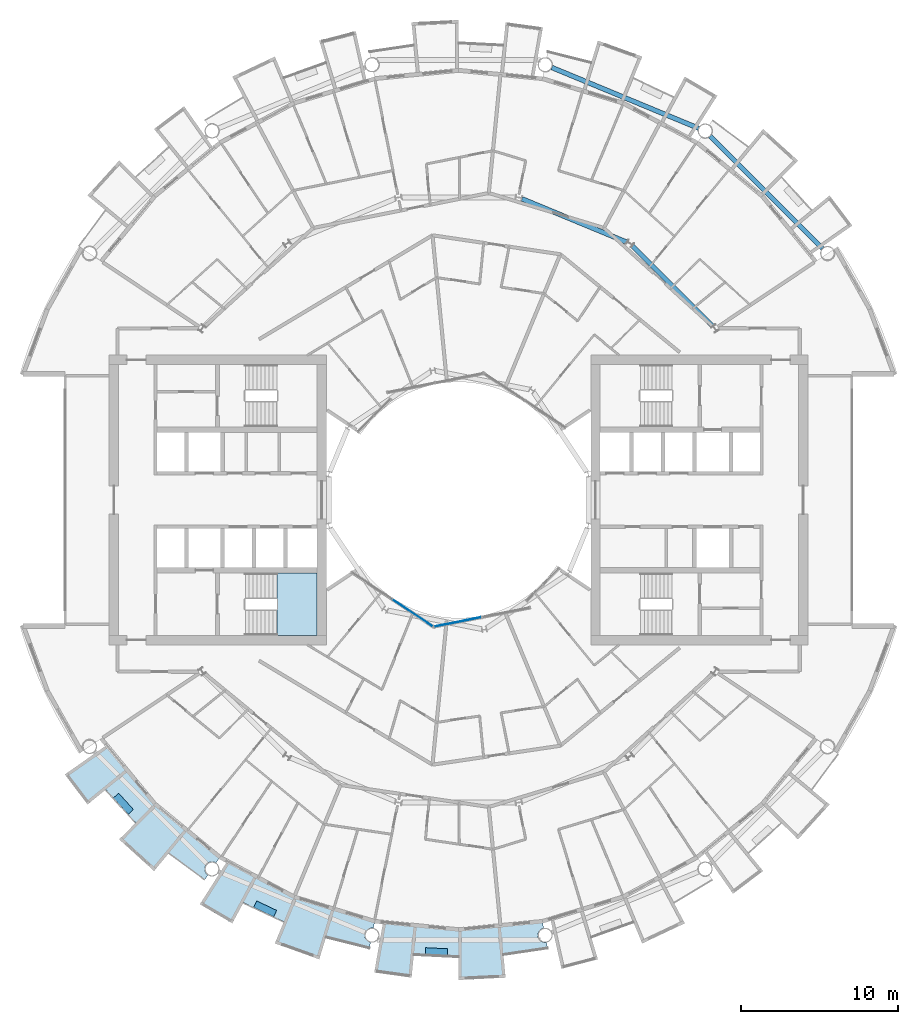
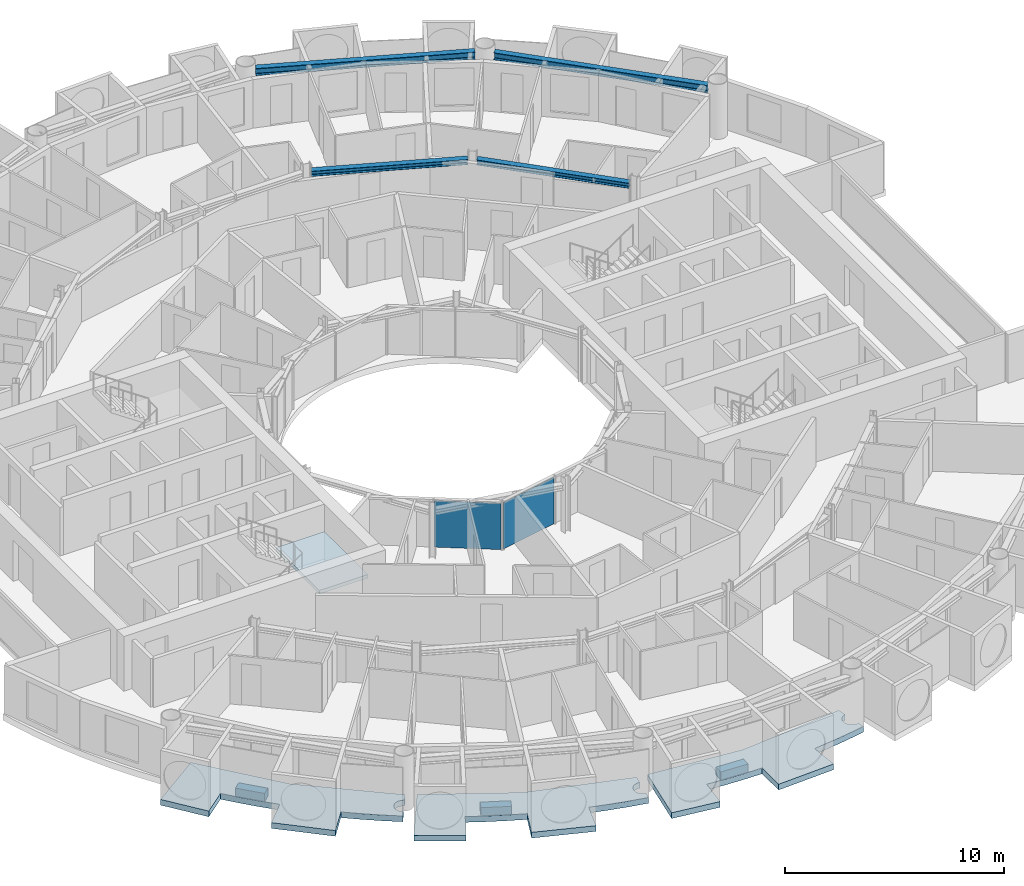
# One storey, part 10 of 28: 7 slabs, 4 beams, 2 plates, 3 elements without a shape of their own.
"""IFC4 building model written with IfcOpenShell, lengths in metres."""

from ifc_helpers import new_model, si_unit, direction, frame, origin, origin_2d, place, context, subcontext, project, spatial, polyline, rectangle, i_section, outline, extrude, material, layer, layer_set, material_profile, profile_set, type_object, element, aggregate, save


model = new_model("IFC4")

# Units and contexts
model_context = context("Model", 3, precision=1e-05, world=origin(), true_north=direction((0.0, 1.0)))
body_context = subcontext(model_context, "Body", "Model", "MODEL_VIEW")
ifc_project = project(units=[si_unit("LENGTHUNIT", "METRE"), si_unit("AREAUNIT", "SQUARE_METRE"), si_unit("VOLUMEUNIT", "CUBIC_METRE"), si_unit("PLANEANGLEUNIT", "RADIAN"), si_unit("MASSUNIT", "GRAM", prefix="KILO")], contexts=[model_context])

# Site, building, storey
site_placement = place(None, origin())
site = spatial("IfcSite", under=ifc_project, at=site_placement, CompositionType="ELEMENT")
building_placement = place(site_placement, origin())
building = spatial("IfcBuilding", under=site, at=building_placement, Name="Maasbend Ring Residences", CompositionType="ELEMENT")
storey_placement = place(building_placement, frame((0.0, 0.0, 133.0)))
storey = spatial("IfcBuildingStorey", under=building, at=storey_placement, Name="L38", CompositionType="ELEMENT", Elevation=133.0)

# Beams
ifc_material_1 = material(Name="Steel S355J2", Category="steel")
ifc_material_profile_1 = material_profile(ifc_material_1, i_section(OverallWidth=0.300048828125, OverallDepth=0.2900390625, WebThickness=0.008544921875, FlangeThickness=0.013916015625, FilletRadius=0.027099609375, at=origin_2d()), Name="HEA 300")
ifc_profile_set_1 = profile_set([ifc_material_profile_1], Name="Steel S355J2")
beam_type_1 = type_object("IfcBeamType", Name="Corridor ring beam HEA 300", PredefinedType="BEAM", material=ifc_profile_set_1)
for number, where, z_axis, x_axis, name in (
    (1, (16.14111328125, 11.044921875, 2.554931640625), (-0.707106781187, 0.707106781187, 0.0), (-0.707106781187, -0.707106781187, 0.0), "Corridor ring beam"),
    (2, (10.685791015625, 16.381103515625, 2.554931640625), (-0.923877693919, 0.382687871089, 0.0), (-0.382687871089, -0.923877693919, 0.0), "Corridor ring beam"),
):
    element("IfcBeam", number, at=place(storey_placement, frame(where, z_axis=z_axis, x_axis=x_axis)), inside=storey, type_object=beam_type_1, Name=name, PredefinedType="BEAM", context=body_context, shape_type="SweptSolid", body=[
        extrude(i_section(OverallWidth=0.300048828125, OverallDepth=0.2900390625, WebThickness=0.008544921875, FlangeThickness=0.013916015625, FilletRadius=0.027099609375, at=origin_2d()), origin(), (0.0, 0.0, 1.0), 7.20703125),
    ])
ifc_material_2 = material(Name="Steel S355J2", Category="steel")
ifc_material_profile_2 = material_profile(ifc_material_2, i_section(OverallWidth=0.300048828125, OverallDepth=0.39990234375, WebThickness=0.013427734375, FlangeThickness=0.02392578125, FilletRadius=0.027099609375, at=origin_2d()), Name="HEB 400")
ifc_profile_set_2 = profile_set([ifc_material_profile_2], Name="Steel S355J2")
beam_type_2 = type_object("IfcBeamType", Name="Spandrel ring beam HEB 400", PredefinedType="SPANDREL", material=ifc_profile_set_2)
for number, where, z_axis, x_axis, name in (
    (3, (23.124267578125, 15.990234375, 2.5), (-0.707106781187, 0.707106781187, 0.0), (-0.707106781187, -0.707106781187, 0.0), "Spandrel ring beam"),
    (4, (15.244873046875, 23.622314453125, 2.5), (-0.92388529709, 0.382669515144, 0.0), (-0.382669515144, -0.92388529709, 0.0), "Spandrel ring beam"),
):
    element("IfcBeam", number, at=place(storey_placement, frame(where, z_axis=z_axis, x_axis=x_axis)), inside=storey, type_object=beam_type_2, Name=name, PredefinedType="SPANDREL", context=body_context, shape_type="SweptSolid", body=[
        extrude(i_section(OverallWidth=0.300048828125, OverallDepth=0.39990234375, WebThickness=0.013427734375, FlangeThickness=0.02392578125, FilletRadius=0.027099609375, at=origin_2d()), origin(), (0.0, 0.0, 1.0), 10.089111328125),
    ])

# Stair, slab
ifc_material_3 = material(Name="Concrete C40/50", Category="concrete")
stair_type = type_object("IfcStairType", Name="CORE STAIR 18 RISERS", PredefinedType="HALF_TURN_STAIR", material=ifc_material_3)
stair_placement = place(storey_placement, origin())
stair = element("IfcStair", 5, at=stair_placement, inside=storey, type_object=stair_type, Name="L38 Exit stair ST-W1", PredefinedType="HALF_TURN_STAIR")
ifc_material_4 = material(Name="Concrete C40/50", Category="concrete")
ifc_layer_1 = layer(ifc_material_4, 0.199951171875)
ifc_layer_set_1 = layer_set([ifc_layer_1], Name="Concrete C40/50")
slab_type_1 = type_object("IfcSlabType", Name="CORE STAIR LANDING 200", PredefinedType="LANDING", material=ifc_layer_set_1)
slab_1_placement = place(storey_placement, frame((0.0, 0.0, 1.324951171875)))
slab_1 = element("IfcSlab", 6, at=slab_1_placement, type_object=slab_type_1, Name="ST-W1 landing 1", PredefinedType="LANDING", context=body_context, shape_type="SweptSolid", body=[
    extrude(outline(polyline([(-11.550048828125, -8.60009765625), (-9.0, -8.60009765625), (-9.0, -4.64990234375), (-11.550048828125, -4.64990234375), (-11.550048828125, -8.60009765625)])), origin(), (0.0, 0.0, 1.0), 0.199951171875),
])
aggregate(stair, [slab_1])

# Curtain wall, plate
ifc_material_5 = material(Name="Aluminium and clear glass", Category="aluminium")
ifc_layer_2 = layer(ifc_material_5, 0.179931640625)
ifc_layer_set_2 = layer_set([ifc_layer_2], Name="CW-W")
curtain_wall_type = type_object("IfcCurtainWallType", Name="CW-W", PredefinedType="NOTDEFINED", material=ifc_layer_set_2)
curtain_wall_1_placement = place(storey_placement, origin())
curtain_wall_1 = element("IfcCurtainWall", 7, at=curtain_wall_1_placement, inside=storey, type_object=curtain_wall_type, Name="Well curtain wall S1", PredefinedType="NOTDEFINED")
ifc_material_6 = material(Name="Glass clear laminated", Category="glass")
ifc_layer_3 = layer(ifc_material_6, 0.031982421875)
ifc_layer_set_3 = layer_set([ifc_layer_3], Name="CWP-W")
plate_type = type_object("IfcPlateType", Name="CWP-W", PredefinedType="CURTAIN_PANEL", material=ifc_layer_set_3)
plate_1_placement = place(storey_placement, frame((-2.922119140625, -7.17578125, 0.0), z_axis=(0.0, 0.0, 1.0), x_axis=(0.831469612303, -0.55557023302, 0.0)))
plate_1 = element("IfcPlate", 8, at=plate_1_placement, type_object=plate_type, Name="Glass panel well face", PredefinedType="CURTAIN_PANEL", context=body_context, shape_type="SweptSolid", body=[
    extrude(rectangle(XDim=3.053955078125, YDim=0.031982421875, at=origin_2d()), origin(), (0.0, 0.0, 1.0), 2.580078125),
])
aggregate(curtain_wall_1, [plate_1])

curtain_wall_2_placement = place(storey_placement, origin())
curtain_wall_2 = element("IfcCurtainWall", 9, at=curtain_wall_2_placement, inside=storey, type_object=curtain_wall_type, Name="Well curtain wall S2", PredefinedType="NOTDEFINED")
plate_2_placement = place(storey_placement, frame((-0.04638671875, -7.747802734375, 0.0), z_axis=(0.0, 0.0, 1.0), x_axis=(0.980785280403, 0.195090322016, 0.0)))
plate_2 = element("IfcPlate", 10, at=plate_2_placement, type_object=plate_type, Name="Glass panel well face", PredefinedType="CURTAIN_PANEL", context=body_context, shape_type="SweptSolid", body=[
    extrude(rectangle(XDim=3.053955078125, YDim=0.031982421875, at=origin_2d()), origin(), (0.0, 0.0, 1.0), 2.580078125),
])
aggregate(curtain_wall_2, [plate_2])

# Slabs
ifc_material_7 = material(Name="Planting with climbing greenery")
ifc_layer_4 = layer(ifc_material_7, 0.449951171875)
ifc_layer_set_4 = layer_set([ifc_layer_4], Name="PLANTER-LG")
slab_type_2 = type_object("IfcSlabType", Name="PLANTER-LG", PredefinedType="USERDEFINED", material=ifc_layer_set_4)
slab_2_placement = place(storey_placement, frame((0.0, 0.0, -0.030029296875)))
element("IfcSlab", 11, at=slab_2_placement, inside=storey, type_object=slab_type_2, Name="Planter with climbing greenery 1", ObjectType="PLANTER", PredefinedType="USERDEFINED", context=body_context, shape_type="SweptSolid", body=[
    extrude(outline(polyline([(-21.931884765625, -18.93310546875), (-20.991943359375, -19.969970703125), (-20.657958984375, -19.66796875), (-21.597900390625, -18.631103515625), (-21.931884765625, -18.93310546875)])), origin(), (0.0, 0.0, 1.0), 0.449951171875),
])
slab_3_placement = place(storey_placement, frame((0.0, 0.0, -0.030029296875)))
element("IfcSlab", 12, at=slab_3_placement, inside=storey, type_object=slab_type_2, Name="Planter with climbing greenery 2", ObjectType="PLANTER", PredefinedType="USERDEFINED", context=body_context, shape_type="SweptSolid", body=[
    extrude(outline(polyline([(-13.01708984375, -25.885009765625), (-11.7509765625, -26.48291015625), (-11.55908203125, -26.076904296875), (-12.824951171875, -25.47802734375), (-13.01708984375, -25.885009765625)])), origin(), (0.0, 0.0, 1.0), 0.449951171875),
])
slab_4_placement = place(storey_placement, frame((0.0, 0.0, -0.030029296875)))
element("IfcSlab", 13, at=slab_4_placement, inside=storey, type_object=slab_type_2, Name="Planter with climbing greenery 3", ObjectType="PLANTER", PredefinedType="USERDEFINED", context=body_context, shape_type="SweptSolid", body=[
    extrude(outline(polyline([(-2.1201171875, -28.89599609375), (-0.721923828125, -28.965087890625), (-0.699951171875, -28.514892578125), (-2.097900390625, -28.446044921875), (-2.1201171875, -28.89599609375)])), origin(), (0.0, 0.0, 1.0), 0.449951171875),
])
ifc_material_8 = material(Name="Concrete C40/50", Category="concrete")
ifc_layer_5 = layer(ifc_material_8, 0.199951171875)
ifc_layer_set_5 = layer_set([ifc_layer_5], Name="Concrete C40/50")
slab_type_3 = type_object("IfcSlabType", Name="SL-LOGGIA", PredefinedType="FLOOR", material=ifc_layer_set_5)
slab_5_placement = place(storey_placement, frame((0.0, 0.0, -0.35009765625)))
element("IfcSlab", 14, at=slab_5_placement, inside=storey, type_object=slab_type_3, Name="Loggia floor 2", PredefinedType="FLOOR", context=body_context, shape_type="SweptSolid", body=[
    extrude(outline(polyline([(-12.806884765625, -23.9609375), (-10.447021484375, -25.221923828125), (-10.447021484375, -25.221923828125), (-10.447021484375, -25.221923828125), (-7.886962890625, -25.9990234375), (-5.325927734375, -26.77490234375), (-5.325927734375, -26.77490234375), (-5.325927734375, -26.77490234375), (-5.412109375, -27.2099609375), (-5.423095703125, -27.2080078125), (-5.43408203125, -27.2060546875), (-5.446044921875, -27.205078125), (-5.45703125, -27.202880859375), (-5.468017578125, -27.201904296875), (-5.47900390625, -27.201904296875), (-5.489990234375, -27.200927734375), (-5.501953125, -27.200927734375), (-5.512939453125, -27.200927734375), (-5.52392578125, -27.201904296875), (-5.534912109375, -27.201904296875), (-5.5458984375, -27.202880859375), (-5.556884765625, -27.205078125), (-5.569091796875, -27.2060546875), (-5.580078125, -27.2080078125), (-5.591064453125, -27.2099609375), (-5.60205078125, -27.2119140625), (-5.613037109375, -27.215087890625), (-5.623046875, -27.218017578125), (-5.634033203125, -27.220947265625), (-5.64501953125, -27.22412109375), (-5.655029296875, -27.22802734375), (-5.666015625, -27.23193359375), (-5.676025390625, -27.236083984375), (-5.68701171875, -27.239990234375), (-5.697021484375, -27.2451171875), (-5.70703125, -27.25), (-5.717041015625, -27.2548828125), (-5.72705078125, -27.260009765625), (-5.736083984375, -27.26611328125), (-5.74609375, -27.27197265625), (-5.7548828125, -27.278076171875), (-5.764892578125, -27.283935546875), (-5.77392578125, -27.291015625), (-5.782958984375, -27.298095703125), (-5.791015625, -27.304931640625), (-5.800048828125, -27.31201171875), (-5.80810546875, -27.319091796875), (-5.81689453125, -27.326904296875), (-5.824951171875, -27.3349609375), (-5.83203125, -27.343017578125), (-5.840087890625, -27.35107421875), (-5.847900390625, -27.360107421875), (-5.85498046875, -27.367919921875), (-5.862060546875, -27.376953125), (-5.868896484375, -27.385986328125), (-5.875, -27.39501953125), (-5.881103515625, -27.404052734375), (-5.887939453125, -27.4140625), (-5.89306640625, -27.423095703125), (-5.89892578125, -27.43310546875), (-5.905029296875, -27.443115234375), (-5.909912109375, -27.452880859375), (-5.9150390625, -27.462890625), (-5.9189453125, -27.472900390625), (-5.924072265625, -27.48291015625), (-5.927978515625, -27.493896484375), (-5.931884765625, -27.50390625), (-5.93505859375, -27.514892578125), (-5.93896484375, -27.52490234375), (-5.94189453125, -27.535888671875), (-5.945068359375, -27.547119140625), (-5.947021484375, -27.55810546875), (-5.949951171875, -27.569091796875), (-5.951904296875, -27.580078125), (-5.9541015625, -27.591064453125), (-5.955078125, -27.60205078125), (-5.9560546875, -27.613037109375), (-5.95703125, -27.6240234375), (-5.9580078125, -27.635986328125), (-5.9580078125, -27.64697265625), (-5.9580078125, -27.657958984375), (-5.9580078125, -27.6689453125), (-5.9580078125, -27.680908203125), (-5.95703125, -27.69189453125), (-5.9560546875, -27.702880859375), (-5.955078125, -27.714111328125), (-5.9541015625, -27.72509765625), (-5.951904296875, -27.736083984375), (-5.949951171875, -27.7470703125), (-5.947021484375, -27.758056640625), (-5.945068359375, -27.76904296875), (-5.94189453125, -27.780029296875), (-5.93896484375, -27.791015625), (-5.93505859375, -27.801025390625), (-5.931884765625, -27.81201171875), (-5.927978515625, -27.822998046875), (-5.924072265625, -27.8330078125), (-5.9189453125, -27.843017578125), (-5.9150390625, -27.85302734375), (-5.909912109375, -27.864013671875), (-5.905029296875, -27.8740234375), (-5.89892578125, -27.883056640625), (-5.89306640625, -27.89306640625), (-5.887939453125, -27.903076171875), (-5.881103515625, -27.912109375), (-5.875, -27.9208984375), (-5.868896484375, -27.929931640625), (-5.862060546875, -27.93896484375), (-5.85498046875, -27.947998046875), (-5.847900390625, -27.95703125), (-5.840087890625, -27.965087890625), (-5.83203125, -27.972900390625), (-5.824951171875, -27.98095703125), (-5.81689453125, -27.989013671875), (-5.80810546875, -27.9970703125), (-5.800048828125, -28.00390625), (-5.791015625, -28.010986328125), (-5.782958984375, -28.01806640625), (-5.77392578125, -28.02490234375), (-5.764892578125, -28.031982421875), (-5.7548828125, -28.0380859375), (-5.74609375, -28.0439453125), (-5.736083984375, -28.050048828125), (-5.72705078125, -28.055908203125), (-5.717041015625, -28.06103515625), (-5.70703125, -28.06591796875), (-5.697021484375, -28.071044921875), (-5.68701171875, -28.075927734375), (-5.676025390625, -28.080078125), (-5.666015625, -28.083984375), (-5.655029296875, -28.087890625), (-5.64501953125, -28.092041015625), (-5.634033203125, -28.094970703125), (-5.623046875, -28.09912109375), (-5.613037109375, -28.10107421875), (-5.60205078125, -28.10400390625), (-5.591064453125, -28.10595703125), (-5.657958984375, -28.443115234375), (-5.657958984375, -28.443115234375), (-5.657958984375, -28.443115234375), (-6.5849609375, -28.241943359375), (-6.5849609375, -28.241943359375), (-7.506103515625, -28.011962890625), (-7.506103515625, -28.011962890625), (-8.41796875, -27.7509765625), (-8.41796875, -27.7509765625), (-8.41796875, -27.7509765625), (-8.41796875, -27.7509765625), (-8.41796875, -27.7509765625), (-8.41796875, -27.7509765625), (-8.41796875, -27.7509765625), (-8.41796875, -27.7509765625), (-8.41796875, -27.7509765625), (-8.41796875, -27.7509765625), (-8.41796875, -27.751953125), (-8.41796875, -27.751953125), (-8.41796875, -27.751953125), (-8.41796875, -27.751953125), (-8.41796875, -27.751953125), (-8.41796875, -27.751953125), (-8.41796875, -27.751953125), (-8.85400390625, -29.18701171875), (-8.85400390625, -29.18701171875), (-8.85400390625, -29.18701171875), (-11.672119140625, -28.177978515625), (-11.672119140625, -28.177978515625), (-11.672119140625, -28.177978515625), (-11.097900390625, -26.79296875), (-11.097900390625, -26.79296875), (-11.097900390625, -26.79296875), (-11.097900390625, -26.79296875), (-11.097900390625, -26.79296875), (-11.097900390625, -26.79296875), (-11.097900390625, -26.79296875), (-11.097900390625, -26.79296875), (-11.097900390625, -26.79296875), (-11.097900390625, -26.79296875), (-11.097900390625, -26.7919921875), (-11.097900390625, -26.7919921875), (-11.097900390625, -26.7919921875), (-11.097900390625, -26.7919921875), (-11.097900390625, -26.7919921875), (-11.097900390625, -26.7919921875), (-11.097900390625, -26.7919921875), (-11.968994140625, -26.4150390625), (-11.968994140625, -26.4150390625), (-12.825927734375, -26.009033203125), (-12.825927734375, -26.009033203125), (-13.669921875, -25.575927734375), (-13.669921875, -25.575927734375), (-13.669921875, -25.575927734375), (-13.669921875, -25.575927734375), (-13.669921875, -25.575927734375), (-13.669921875, -25.575927734375), (-13.669921875, -25.575927734375), (-13.669921875, -25.575927734375), (-13.669921875, -25.575927734375), (-13.669921875, -25.575927734375), (-13.6708984375, -25.575927734375), (-13.6708984375, -25.575927734375), (-13.6708984375, -25.575927734375), (-13.6708984375, -25.575927734375), (-13.6708984375, -25.575927734375), (-13.6708984375, -25.575927734375), (-13.6708984375, -25.575927734375), (-14.3779296875, -26.89892578125), (-14.3779296875, -26.89892578125), (-14.3779296875, -26.89892578125), (-16.44091796875, -25.68994140625), (-16.44091796875, -25.68994140625), (-16.44091796875, -25.68994140625), (-14.68994140625, -22.9541015625), (-14.68994140625, -22.9541015625), (-14.68994140625, -22.9541015625), (-12.806884765625, -23.9609375)])), origin(), (0.0, 0.0, 1.0), 0.320068359375),
])
slab_6_placement = place(storey_placement, frame((0.0, 0.0, -0.35009765625)))
element("IfcSlab", 15, at=slab_6_placement, inside=storey, type_object=slab_type_3, Name="Loggia floor 3", PredefinedType="FLOOR", context=body_context, shape_type="SweptSolid", body=[
    extrude(outline(polyline([(-2.6630859375, -27.0380859375), (0.0, -27.300048828125), (0.0, -27.300048828125), (0.0, -27.300048828125), (2.6630859375, -27.0380859375), (5.325927734375, -26.77490234375), (5.325927734375, -26.77490234375), (5.325927734375, -26.77490234375), (5.412109375, -27.2099609375), (5.412109375, -27.2099609375), (5.40087890625, -27.2119140625), (5.389892578125, -27.215087890625), (5.3798828125, -27.218017578125), (5.368896484375, -27.220947265625), (5.35791015625, -27.22412109375), (5.347900390625, -27.22802734375), (5.3369140625, -27.23193359375), (5.326904296875, -27.236083984375), (5.31591796875, -27.239990234375), (5.305908203125, -27.2451171875), (5.2958984375, -27.25), (5.285888671875, -27.2548828125), (5.27587890625, -27.260009765625), (5.26708984375, -27.26611328125), (5.257080078125, -27.27197265625), (5.248046875, -27.278076171875), (5.238037109375, -27.283935546875), (5.22900390625, -27.291015625), (5.219970703125, -27.298095703125), (5.2119140625, -27.304931640625), (5.202880859375, -27.31201171875), (5.195068359375, -27.319091796875), (5.18603515625, -27.326904296875), (5.177978515625, -27.3349609375), (5.1708984375, -27.343017578125), (5.1630859375, -27.35107421875), (5.155029296875, -27.360107421875), (5.14794921875, -27.367919921875), (5.14111328125, -27.376953125), (5.134033203125, -27.385986328125), (5.1279296875, -27.39501953125), (5.1220703125, -27.404052734375), (5.114990234375, -27.4140625), (5.110107421875, -27.423095703125), (5.10400390625, -27.43310546875), (5.097900390625, -27.443115234375), (5.093017578125, -27.452880859375), (5.087890625, -27.462890625), (5.083984375, -27.472900390625), (5.0791015625, -27.48291015625), (5.074951171875, -27.493896484375), (5.071044921875, -27.50390625), (5.068115234375, -27.514892578125), (5.06396484375, -27.52490234375), (5.06103515625, -27.535888671875), (5.05810546875, -27.547119140625), (5.055908203125, -27.55810546875), (5.052978515625, -27.569091796875), (5.051025390625, -27.580078125), (5.049072265625, -27.591064453125), (5.048095703125, -27.60205078125), (5.047119140625, -27.613037109375), (5.0458984375, -27.6240234375), (5.044921875, -27.635986328125), (5.044921875, -27.64697265625), (5.044921875, -27.657958984375), (5.044921875, -27.6689453125), (5.044921875, -27.680908203125), (5.0458984375, -27.69189453125), (5.047119140625, -27.702880859375), (5.048095703125, -27.714111328125), (5.049072265625, -27.72509765625), (5.051025390625, -27.736083984375), (5.052978515625, -27.7470703125), (5.055908203125, -27.758056640625), (5.05810546875, -27.76904296875), (5.06103515625, -27.780029296875), (5.06396484375, -27.791015625), (5.068115234375, -27.801025390625), (5.071044921875, -27.81201171875), (5.074951171875, -27.822998046875), (5.0791015625, -27.8330078125), (5.083984375, -27.843017578125), (5.087890625, -27.85302734375), (5.093017578125, -27.864013671875), (5.097900390625, -27.8740234375), (5.10400390625, -27.883056640625), (5.110107421875, -27.89306640625), (5.114990234375, -27.903076171875), (5.1220703125, -27.912109375), (5.1279296875, -27.9208984375), (5.134033203125, -27.929931640625), (5.14111328125, -27.93896484375), (5.14794921875, -27.947998046875), (5.155029296875, -27.95703125), (5.1630859375, -27.965087890625), (5.1708984375, -27.972900390625), (5.177978515625, -27.98095703125), (5.18603515625, -27.989013671875), (5.195068359375, -27.9970703125), (5.202880859375, -28.00390625), (5.2119140625, -28.010986328125), (5.219970703125, -28.01806640625), (5.22900390625, -28.02490234375), (5.238037109375, -28.031982421875), (5.248046875, -28.0380859375), (5.257080078125, -28.0439453125), (5.26708984375, -28.050048828125), (5.27587890625, -28.055908203125), (5.285888671875, -28.06103515625), (5.2958984375, -28.06591796875), (5.305908203125, -28.071044921875), (5.31591796875, -28.075927734375), (5.326904296875, -28.080078125), (5.3369140625, -28.083984375), (5.347900390625, -28.087890625), (5.35791015625, -28.092041015625), (5.368896484375, -28.094970703125), (5.3798828125, -28.09912109375), (5.389892578125, -28.10107421875), (5.40087890625, -28.10400390625), (5.412109375, -28.10595703125), (5.423095703125, -28.10791015625), (5.43408203125, -28.110107421875), (5.446044921875, -28.112060546875), (5.45703125, -28.113037109375), (5.468017578125, -28.114013671875), (5.47900390625, -28.114990234375), (5.489990234375, -28.114990234375), (5.501953125, -28.114990234375), (5.512939453125, -28.114990234375), (5.52392578125, -28.114990234375), (5.534912109375, -28.114013671875), (5.5458984375, -28.113037109375), (5.556884765625, -28.112060546875), (5.569091796875, -28.110107421875), (5.580078125, -28.10791015625), (5.591064453125, -28.10595703125), (5.591064453125, -28.10595703125), (5.657958984375, -28.443115234375), (5.657958984375, -28.443115234375), (5.657958984375, -28.443115234375), (4.72412109375, -28.613037109375), (4.72412109375, -28.613037109375), (3.784912109375, -28.751953125), (3.784912109375, -28.751953125), (2.843017578125, -28.860107421875), (2.843017578125, -28.860107421875), (2.843017578125, -28.860107421875), (2.843017578125, -28.860107421875), (2.843017578125, -28.860107421875), (2.843017578125, -28.860107421875), (2.843017578125, -28.860107421875), (2.843017578125, -28.860107421875), (2.843017578125, -28.860107421875), (2.843017578125, -28.861083984375), (2.843017578125, -28.861083984375), (2.843017578125, -28.861083984375), (2.843017578125, -28.861083984375), (2.843017578125, -28.861083984375), (2.843017578125, -28.861083984375), (2.843017578125, -28.861083984375), (2.843017578125, -28.861083984375), (2.989990234375, -30.35302734375), (2.989990234375, -30.35302734375), (2.989990234375, -30.35302734375), (0.0, -30.5), (0.0, -30.5), (0.0, -30.5), (0.0, -29.0), (0.0, -29.0), (0.0, -29.0), (0.0, -29.0), (0.0, -29.0), (0.0, -29.0), (0.0, -29.0), (0.0, -29.0), (0.0, -29.0), (0.0, -29.0), (0.0, -29.0), (0.0, -29.0), (0.0, -29.0), (0.0, -29.0), (0.0, -29.0), (0.0, -29.0), (0.0, -29.0), (-0.948974609375, -28.98388671875), (-0.948974609375, -28.98388671875), (-1.89697265625, -28.93798828125), (-1.89697265625, -28.93798828125), (-2.842041015625, -28.860107421875), (-2.842041015625, -28.860107421875), (-2.842041015625, -28.860107421875), (-2.842041015625, -28.860107421875), (-2.842041015625, -28.860107421875), (-2.842041015625, -28.860107421875), (-2.842041015625, -28.860107421875), (-2.842041015625, -28.860107421875), (-2.842041015625, -28.861083984375), (-2.842041015625, -28.861083984375), (-2.842041015625, -28.861083984375), (-2.842041015625, -28.861083984375), (-2.842041015625, -28.861083984375), (-2.843017578125, -28.861083984375), (-2.843017578125, -28.861083984375), (-2.843017578125, -28.861083984375), (-2.843017578125, -28.861083984375), (-2.989990234375, -30.35302734375), (-2.989990234375, -30.35302734375), (-2.989990234375, -30.35302734375), (-5.35791015625, -30.02587890625), (-5.35791015625, -30.02587890625), (-5.35791015625, -30.02587890625), (-4.7880859375, -26.827880859375), (-4.7880859375, -26.827880859375), (-4.7880859375, -26.827880859375), (-2.6630859375, -27.0380859375)])), origin(), (0.0, 0.0, 1.0), 0.320068359375),
])
slab_7_placement = place(storey_placement, frame((0.0, 0.0, -0.35009765625)))
element("IfcSlab", 16, at=slab_7_placement, inside=storey, type_object=slab_type_3, Name="Loggia floor 5", PredefinedType="FLOOR", context=body_context, shape_type="SweptSolid", body=[
    extrude(outline(polyline([(-21.001953125, -17.236083984375), (-19.303955078125, -19.303955078125), (-19.303955078125, -19.303955078125), (-19.303955078125, -19.303955078125), (-17.236083984375, -21.001953125), (-15.1669921875, -22.698974609375), (-15.1669921875, -22.698974609375), (-15.1669921875, -22.698974609375), (-15.4130859375, -23.06689453125), (-15.4130859375, -23.06689453125), (-15.423095703125, -23.06103515625), (-15.431884765625, -23.054931640625), (-15.44189453125, -23.050048828125), (-15.451904296875, -23.0439453125), (-15.4619140625, -23.0390625), (-15.471923828125, -23.033935546875), (-15.48193359375, -23.030029296875), (-15.491943359375, -23.02490234375), (-15.5029296875, -23.02099609375), (-15.512939453125, -23.01708984375), (-15.52392578125, -23.012939453125), (-15.533935546875, -23.010009765625), (-15.544921875, -23.007080078125), (-15.555908203125, -23.00390625), (-15.56689453125, -23.001953125), (-15.577880859375, -22.9990234375), (-15.589111328125, -22.9970703125), (-15.60009765625, -22.9951171875), (-15.611083984375, -22.993896484375), (-15.6220703125, -22.992919921875), (-15.633056640625, -22.991943359375), (-15.64501953125, -22.990966796875), (-15.656005859375, -22.990966796875), (-15.6669921875, -22.989990234375), (-15.677978515625, -22.990966796875), (-15.68994140625, -22.990966796875), (-15.700927734375, -22.991943359375), (-15.7119140625, -22.992919921875), (-15.722900390625, -22.993896484375), (-15.73388671875, -22.9951171875), (-15.7451171875, -22.9970703125), (-15.756103515625, -22.9990234375), (-15.76708984375, -23.001953125), (-15.778076171875, -23.00390625), (-15.7890625, -23.007080078125), (-15.800048828125, -23.010009765625), (-15.81005859375, -23.012939453125), (-15.821044921875, -23.01708984375), (-15.83203125, -23.02099609375), (-15.842041015625, -23.02490234375), (-15.85205078125, -23.030029296875), (-15.862060546875, -23.033935546875), (-15.873046875, -23.0390625), (-15.883056640625, -23.0439453125), (-15.89208984375, -23.050048828125), (-15.902099609375, -23.054931640625), (-15.912109375, -23.06103515625), (-15.9208984375, -23.06689453125), (-15.929931640625, -23.073974609375), (-15.93896484375, -23.080078125), (-15.947998046875, -23.0869140625), (-15.95703125, -23.093994140625), (-15.966064453125, -23.10107421875), (-15.97412109375, -23.10888671875), (-15.98193359375, -23.115966796875), (-15.989990234375, -23.1240234375), (-15.998046875, -23.132080078125), (-16.006103515625, -23.139892578125), (-16.012939453125, -23.14892578125), (-16.02001953125, -23.156982421875), (-16.027099609375, -23.166015625), (-16.033935546875, -23.175048828125), (-16.041015625, -23.18408203125), (-16.047119140625, -23.194091796875), (-16.052978515625, -23.202880859375), (-16.05908203125, -23.2119140625), (-16.06494140625, -23.221923828125), (-16.070068359375, -23.23193359375), (-16.074951171875, -23.241943359375), (-16.080078125, -23.251953125), (-16.0849609375, -23.261962890625), (-16.089111328125, -23.27294921875), (-16.093017578125, -23.282958984375), (-16.096923828125, -23.29296875), (-16.10107421875, -23.303955078125), (-16.10400390625, -23.31494140625), (-16.10791015625, -23.325927734375), (-16.110107421875, -23.3359375), (-16.113037109375, -23.346923828125), (-16.114990234375, -23.35791015625), (-16.116943359375, -23.368896484375), (-16.118896484375, -23.3798828125), (-16.12109375, -23.39111328125), (-16.1220703125, -23.403076171875), (-16.123046875, -23.4140625), (-16.1240234375, -23.425048828125), (-16.1240234375, -23.43603515625), (-16.1240234375, -23.447021484375), (-16.1240234375, -23.458984375), (-16.1240234375, -23.469970703125), (-16.123046875, -23.48095703125), (-16.1220703125, -23.491943359375), (-16.12109375, -23.5029296875), (-16.118896484375, -23.513916015625), (-16.116943359375, -23.52587890625), (-16.114990234375, -23.537109375), (-16.113037109375, -23.548095703125), (-16.110107421875, -23.55810546875), (-16.10791015625, -23.569091796875), (-16.10400390625, -23.580078125), (-16.10107421875, -23.591064453125), (-16.096923828125, -23.60107421875), (-16.093017578125, -23.612060546875), (-16.089111328125, -23.6220703125), (-16.0849609375, -23.633056640625), (-16.080078125, -23.64306640625), (-16.074951171875, -23.653076171875), (-16.070068359375, -23.6630859375), (-16.06494140625, -23.673095703125), (-16.05908203125, -23.681884765625), (-16.052978515625, -23.69189453125), (-16.047119140625, -23.700927734375), (-16.041015625, -23.7109375), (-16.033935546875, -23.719970703125), (-16.027099609375, -23.72900390625), (-16.02001953125, -23.737060546875), (-16.012939453125, -23.74609375), (-16.006103515625, -23.75390625), (-15.998046875, -23.762939453125), (-15.989990234375, -23.77099609375), (-15.98193359375, -23.778076171875), (-15.97412109375, -23.785888671875), (-15.966064453125, -23.79296875), (-15.95703125, -23.801025390625), (-15.947998046875, -23.80810546875), (-15.93896484375, -23.81396484375), (-15.929931640625, -23.821044921875), (-15.9208984375, -23.826904296875), (-15.9208984375, -23.826904296875), (-16.112060546875, -24.113037109375), (-16.112060546875, -24.113037109375), (-16.112060546875, -24.113037109375), (-16.89208984375, -23.572998046875), (-16.89208984375, -23.572998046875), (-17.654052734375, -23.007080078125), (-17.654052734375, -23.007080078125), (-18.39697265625, -22.41796875), (-18.39697265625, -22.41796875), (-18.39697265625, -22.41796875), (-18.39697265625, -22.41796875), (-18.39697265625, -22.41796875), (-18.39697265625, -22.41796875), (-18.39697265625, -22.41796875), (-18.39697265625, -22.41796875), (-18.39697265625, -22.41796875), (-18.39697265625, -22.41796875), (-18.39697265625, -22.41796875), (-18.39794921875, -22.41796875), (-18.39794921875, -22.41796875), (-18.39794921875, -22.41796875), (-18.39794921875, -22.41796875), (-18.39794921875, -22.41796875), (-18.39794921875, -22.41796875), (-19.34912109375, -23.576904296875), (-19.34912109375, -23.576904296875), (-19.34912109375, -23.576904296875), (-21.56689453125, -21.56689453125), (-21.56689453125, -21.56689453125), (-21.56689453125, -21.56689453125), (-20.506103515625, -20.506103515625), (-20.506103515625, -20.506103515625), (-20.506103515625, -20.506103515625), (-20.506103515625, -20.506103515625), (-20.506103515625, -20.506103515625), (-20.506103515625, -20.506103515625), (-20.506103515625, -20.506103515625), (-20.506103515625, -20.506103515625), (-20.506103515625, -20.506103515625), (-20.506103515625, -20.506103515625), (-20.506103515625, -20.506103515625), (-20.506103515625, -20.506103515625), (-20.506103515625, -20.506103515625), (-20.506103515625, -20.506103515625), (-20.506103515625, -20.506103515625), (-20.506103515625, -20.506103515625), (-20.506103515625, -20.506103515625), (-21.166015625, -19.823974609375), (-21.166015625, -19.823974609375), (-21.802978515625, -19.12109375), (-21.802978515625, -19.12109375), (-22.4169921875, -18.39794921875), (-22.4169921875, -18.39794921875), (-22.4169921875, -18.39794921875), (-22.4169921875, -18.39794921875), (-22.4169921875, -18.39794921875), (-22.4169921875, -18.39794921875), (-22.4169921875, -18.39794921875), (-22.4169921875, -18.39794921875), (-22.4169921875, -18.39794921875), (-22.4169921875, -18.39794921875), (-22.4169921875, -18.39794921875), (-22.4169921875, -18.39794921875), (-22.41796875, -18.39794921875), (-22.41796875, -18.39794921875), (-22.41796875, -18.39794921875), (-22.41796875, -18.39794921875), (-22.41796875, -18.39794921875), (-23.576904296875, -19.34912109375), (-23.576904296875, -19.34912109375), (-23.576904296875, -19.34912109375), (-25.02001953125, -17.44189453125), (-25.02001953125, -17.44189453125), (-25.02001953125, -17.44189453125), (-22.35595703125, -15.5849609375), (-22.35595703125, -15.5849609375), (-22.35595703125, -15.5849609375), (-21.001953125, -17.236083984375)])), origin(), (0.0, 0.0, 1.0), 0.320068359375),
])

save(model, "model.ifc")
